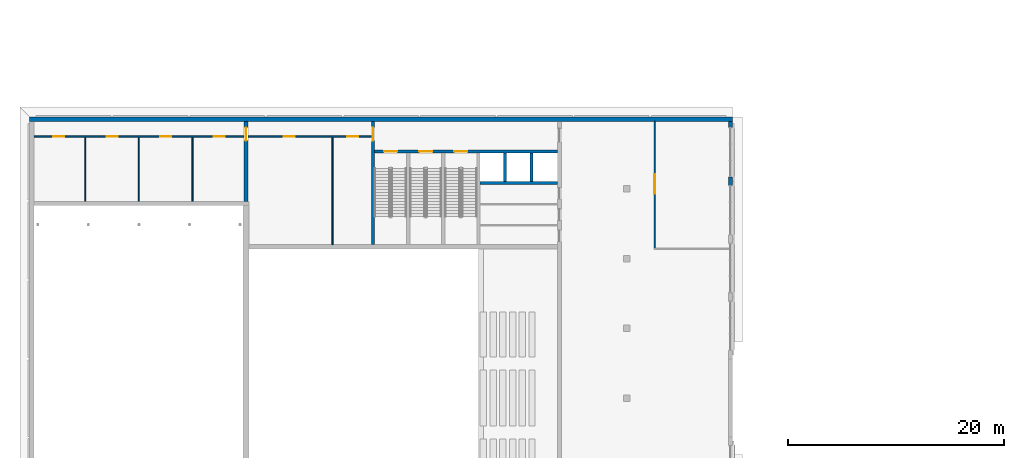
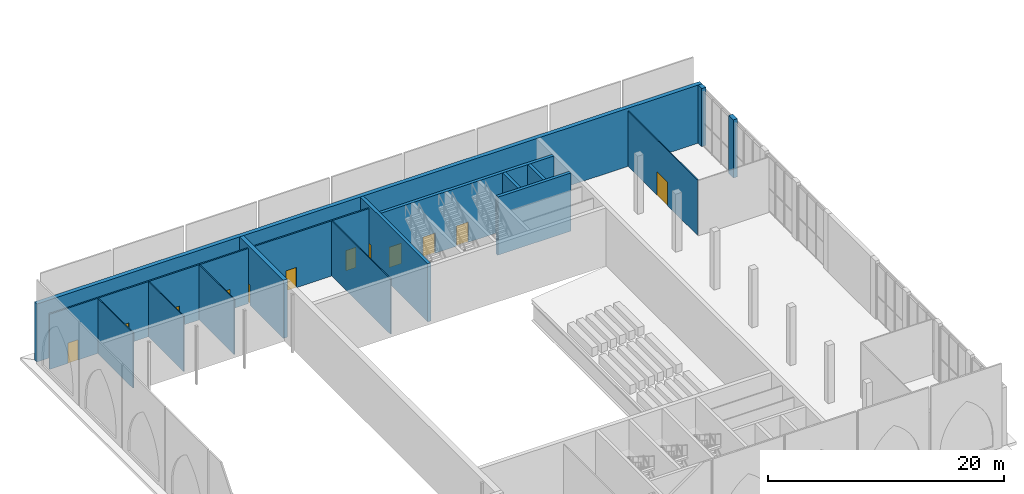
# One storey, part 20 of 74: 16 walls, 12 doors, 12 openings.
"""IFC4 building model written with IfcOpenShell, lengths in metres."""

from ifc_helpers import new_model, si_unit, direction, frame, frame_2d, origin, place, context, subcontext, project, spatial, rectangle, extrude, material, layer, layer_set, type_object, element, fill, save


model = new_model("IFC4")

# Units and contexts
model_context = context("Model", 3, precision=1e-05, world=origin(), true_north=direction((0.0, 1.0)))
body_context = subcontext(model_context, "Body", "Model", "MODEL_VIEW")
ifc_project = project(units=[si_unit("LENGTHUNIT", "METRE"), si_unit("AREAUNIT", "SQUARE_METRE"), si_unit("VOLUMEUNIT", "CUBIC_METRE"), si_unit("PLANEANGLEUNIT", "RADIAN"), si_unit("MASSUNIT", "GRAM", prefix="KILO")], contexts=[model_context])

# Site, building, storey
site_placement = place(None, origin())
site = spatial("IfcSite", under=ifc_project, at=site_placement, CompositionType="ELEMENT")
building_placement = place(site_placement, origin())
building = spatial("IfcBuilding", under=site, at=building_placement, Name="Noorbagh Ring Tower", CompositionType="ELEMENT")
storey_placement = place(building_placement, frame((0.0, 0.0, 13.5)))
storey = spatial("IfcBuildingStorey", under=building, at=storey_placement, Name="L02", CompositionType="ELEMENT", Elevation=13.5)

# Walls
ifc_material_1 = material(Name="Gypsum board on steel studs", Category="steel")
ifc_layer_1 = layer(ifc_material_1, 0.10009765625)
ifc_layer_set_1 = layer_set([ifc_layer_1], Name="Gypsum board on steel studs")
wall_type_1 = type_object("IfcWallType", Name="TH-PART-100", PredefinedType="PARTITIONING", material=ifc_layer_set_1)
for number, where, z_axis, x_axis, name in (
    (1, (-154.85009765625, 23.199951171875, 0.0), (0.0, 0.0, 1.0), (0.0, 1.0, 0.0), "L02/th-wall/056"),
    (2, (-149.89990234375, 23.199951171875, 0.0), (0.0, 0.0, 1.0), (0.0, 1.0, 0.0), "L02/th-wall/057"),
    (3, (-144.949951171875, 23.199951171875, 0.0), (0.0, 0.0, 1.0), (0.0, 1.0, 0.0), "L02/th-wall/059"),
):
    element("IfcWall", number, at=place(storey_placement, frame(where, z_axis=z_axis, x_axis=x_axis)), inside=storey, type_object=wall_type_1, Name=name, PredefinedType="PARTITIONING", context=body_context, shape_type="SweptSolid", body=[
        extrude(rectangle(XDim=5.925048828125, YDim=0.10009765625, at=frame_2d((2.96240234375, 0.0))), origin(), (0.0, 0.0, 1.0), 5.699951171875),
    ])
wall_1_placement = place(storey_placement, frame((-132.0, 19.199951171875, 0.0), z_axis=(0.0, 0.0, 1.0), x_axis=(0.0, 1.0, 0.0)))
element("IfcWall", 4, at=wall_1_placement, inside=storey, type_object=wall_type_1, Name="L02/th-wall/060", PredefinedType="PARTITIONING", context=body_context, shape_type="SweptSolid", body=[
    extrude(rectangle(XDim=9.925048828125, YDim=0.10009765625, at=frame_2d((4.96240234375, 0.0))), origin(), (0.0, 0.0, 1.0), 5.699951171875),
])

# Wall, opening, door
wall_2_placement = place(storey_placement, frame((-102.199951171875, 18.85009765625, 0.0), z_axis=(0.0, 0.0, 1.0), x_axis=(0.0, 1.0, 0.0)))
wall_2 = element("IfcWall", 5, at=wall_2_placement, inside=storey, type_object=wall_type_1, Name="L02/th-wall/063", PredefinedType="PARTITIONING", context=body_context, shape_type="SweptSolid", body=[
    extrude(rectangle(XDim=11.75, YDim=0.10009765625, at=frame_2d((5.875, 0.0))), origin(), (0.0, 0.0, 1.0), 5.699951171875),
])
opening_1_placement = place(wall_2_placement, frame((5.050048828125, 0.0, 0.0)))
opening_1 = element("IfcOpeningElement", 6, at=opening_1_placement, cuts=wall_2, Name="Opening TL02-D22", PredefinedType="OPENING", context=body_context, shape_type="SweptSolid", body=[
    extrude(rectangle(XDim=1.800048828125, YDim=2.39990234375, at=frame_2d((0.89990234375, 1.199951171875))), frame((0.0, 0.06005859375, 0.0), z_axis=(0.0, -1.0, 0.0), x_axis=(1.0, 0.0, 0.0)), (0.0, 0.0, 1.0), 0.1201171875),
])
ifc_material_2 = material(Name="Timber", Category="wood")
door_type_1 = type_object("IfcDoorType", Name="TH-DOOR-DBL-1800", OperationType="DOUBLE_DOOR_SINGLE_SWING", PredefinedType="DOOR", material=ifc_material_2)
door_1_placement = place(opening_1_placement, origin())
door_1 = element("IfcDoor", 7, at=door_1_placement, inside=storey, type_object=door_type_1, Name="Door Balcony foyer to Balcony bar TL02-D22", OperationType="DOUBLE_DOOR_SINGLE_SWING", OverallHeight=2.39990234375, OverallWidth=1.800048828125, PredefinedType="DOOR", context=body_context, shape_type="SweptSolid", body=[
    extrude(rectangle(XDim=1.800048828125, YDim=2.39990234375, at=frame_2d((0.89990234375, 1.199951171875))), frame((0.0, 0.02490234375, 0.0), z_axis=(0.0, -1.0, 0.0), x_axis=(1.0, 0.0, 0.0)), (0.0, 0.0, 1.0), 0.050048828125),
])
fill(opening_1, door_1)

# Wall, openings, doors
ifc_material_3 = material(Name="Gypsum board on steel studs", Category="steel")
ifc_layer_2 = layer(ifc_material_3, 0.14990234375)
ifc_layer_set_2 = layer_set([ifc_layer_2], Name="Gypsum board on steel studs")
wall_type_2 = type_object("IfcWallType", Name="TH-PART-150", PredefinedType="PARTITIONING", material=ifc_layer_set_2)
wall_3_placement = place(storey_placement, frame((-159.60009765625, 29.199951171875, 0.0), z_axis=(0.0, 0.0, 1.0), x_axis=(1.0, 0.0, 0.0)))
wall_3 = element("IfcWall", 8, at=wall_3_placement, inside=storey, type_object=wall_type_2, Name="L02/th-wall/054", PredefinedType="PARTITIONING", context=body_context, shape_type="SweptSolid", body=[
    extrude(rectangle(XDim=19.400146484375, YDim=0.14990234375, at=frame_2d((9.7001953125, 0.0))), origin(), (0.0, 0.0, 1.0), 5.699951171875),
])
opening_2_placement = place(wall_3_placement, frame((1.77490234375, 0.0, 0.0)))
opening_2 = element("IfcOpeningElement", 9, at=opening_2_placement, cuts=wall_3, Name="Opening TL02-D10", PredefinedType="OPENING", context=body_context, shape_type="SweptSolid", body=[
    extrude(rectangle(XDim=1.0, YDim=2.10009765625, at=frame_2d((0.5, 1.050048828125))), frame((0.0, 0.0849609375, 0.0), z_axis=(0.0, -1.0, 0.0), x_axis=(1.0, 0.0, 0.0)), (0.0, 0.0, 1.0), 0.169921875),
])
opening_3_placement = place(wall_3_placement, frame((6.72509765625, 0.0, 0.0)))
opening_3 = element("IfcOpeningElement", 10, at=opening_3_placement, cuts=wall_3, Name="Opening TL02-D11", PredefinedType="OPENING", context=body_context, shape_type="SweptSolid", body=[
    extrude(rectangle(XDim=1.0, YDim=2.10009765625, at=frame_2d((0.5, 1.050048828125))), frame((0.0, 0.0849609375, 0.0), z_axis=(0.0, -1.0, 0.0), x_axis=(1.0, 0.0, 0.0)), (0.0, 0.0, 1.0), 0.169921875),
])
opening_4_placement = place(wall_3_placement, frame((11.675048828125, 0.0, 0.0)))
opening_4 = element("IfcOpeningElement", 11, at=opening_4_placement, cuts=wall_3, Name="Opening TL02-D12", PredefinedType="OPENING", context=body_context, shape_type="SweptSolid", body=[
    extrude(rectangle(XDim=1.0, YDim=2.10009765625, at=frame_2d((0.5, 1.050048828125))), frame((0.0, 0.0849609375, 0.0), z_axis=(0.0, -1.0, 0.0), x_axis=(1.0, 0.0, 0.0)), (0.0, 0.0, 1.0), 0.169921875),
])
opening_5_placement = place(wall_3_placement, frame((16.625, 0.0, 0.0)))
opening_5 = element("IfcOpeningElement", 12, at=opening_5_placement, cuts=wall_3, Name="Opening TL02-D13", PredefinedType="OPENING", context=body_context, shape_type="SweptSolid", body=[
    extrude(rectangle(XDim=1.0, YDim=2.10009765625, at=frame_2d((0.5, 1.050048828125))), frame((0.0, 0.0849609375, 0.0), z_axis=(0.0, -1.0, 0.0), x_axis=(1.0, 0.0, 0.0)), (0.0, 0.0, 1.0), 0.169921875),
])
ifc_material_4 = material(Name="Timber", Category="wood")
door_type_2 = type_object("IfcDoorType", Name="TH-DOOR-1000", OperationType="SINGLE_SWING_LEFT", PredefinedType="DOOR", material=ifc_material_4)
door_2_placement = place(opening_2_placement, origin())
door_2 = element("IfcDoor", 13, at=door_2_placement, inside=storey, type_object=door_type_2, Name="Door Corridor to Costume store TL02-D10", OperationType="SINGLE_SWING_LEFT", OverallHeight=2.10009765625, OverallWidth=1.0, PredefinedType="DOOR", context=body_context, shape_type="SweptSolid", body=[
    extrude(rectangle(XDim=1.0, YDim=2.10009765625, at=frame_2d((0.5, 1.050048828125))), frame((0.0, 0.02490234375, 0.0), z_axis=(0.0, -1.0, 0.0), x_axis=(1.0, 0.0, 0.0)), (0.0, 0.0, 1.0), 0.050048828125),
])
fill(opening_2, door_2)
door_3_placement = place(opening_3_placement, origin())
door_3 = element("IfcDoor", 14, at=door_3_placement, inside=storey, type_object=door_type_2, Name="Door Corridor to Laundry TL02-D11", OperationType="SINGLE_SWING_LEFT", OverallHeight=2.10009765625, OverallWidth=1.0, PredefinedType="DOOR", context=body_context, shape_type="SweptSolid", body=[
    extrude(rectangle(XDim=1.0, YDim=2.10009765625, at=frame_2d((0.5, 1.050048828125))), frame((0.0, 0.02490234375, 0.0), z_axis=(0.0, -1.0, 0.0), x_axis=(1.0, 0.0, 0.0)), (0.0, 0.0, 1.0), 0.050048828125),
])
fill(opening_3, door_3)
door_4_placement = place(opening_4_placement, origin())
door_4 = element("IfcDoor", 15, at=door_4_placement, inside=storey, type_object=door_type_2, Name="Door Corridor to Dye room TL02-D12", OperationType="SINGLE_SWING_RIGHT", OverallHeight=2.10009765625, OverallWidth=1.0, PredefinedType="DOOR", context=body_context, shape_type="SweptSolid", body=[
    extrude(rectangle(XDim=1.0, YDim=2.10009765625, at=frame_2d((0.5, 1.050048828125))), frame((0.0, 0.02490234375, 0.0), z_axis=(0.0, -1.0, 0.0), x_axis=(1.0, 0.0, 0.0)), (0.0, 0.0, 1.0), 0.050048828125),
])
fill(opening_4, door_4)
door_5_placement = place(opening_5_placement, origin())
door_5 = element("IfcDoor", 16, at=door_5_placement, inside=storey, type_object=door_type_2, Name="Door Corridor to Wardrobe office TL02-D13", OperationType="SINGLE_SWING_RIGHT", OverallHeight=2.10009765625, OverallWidth=1.0, PredefinedType="DOOR", context=body_context, shape_type="SweptSolid", body=[
    extrude(rectangle(XDim=1.0, YDim=2.10009765625, at=frame_2d((0.5, 1.050048828125))), frame((0.0, 0.02490234375, 0.0), z_axis=(0.0, -1.0, 0.0), x_axis=(1.0, 0.0, 0.0)), (0.0, 0.0, 1.0), 0.050048828125),
])
fill(opening_5, door_5)

wall_4_placement = place(storey_placement, frame((-139.800048828125, 29.199951171875, 0.0), z_axis=(0.0, 0.0, 1.0), x_axis=(1.0, 0.0, 0.0)))
wall_4 = element("IfcWall", 17, at=wall_4_placement, inside=storey, type_object=wall_type_2, Name="L02/th-wall/055", PredefinedType="PARTITIONING", context=body_context, shape_type="SweptSolid", body=[
    extrude(rectangle(XDim=11.400146484375, YDim=0.14990234375, at=frame_2d((5.7001953125, 0.0))), origin(), (0.0, 0.0, 1.0), 5.699951171875),
])
opening_6_placement = place(wall_4_placement, frame((3.300048828125, 0.0, 0.0)))
opening_6 = element("IfcOpeningElement", 18, at=opening_6_placement, cuts=wall_4, Name="Opening TL02-D14", PredefinedType="OPENING", context=body_context, shape_type="SweptSolid", body=[
    extrude(rectangle(XDim=1.0, YDim=2.10009765625, at=frame_2d((0.5, 1.050048828125))), frame((0.0, 0.0849609375, 0.0), z_axis=(0.0, -1.0, 0.0), x_axis=(1.0, 0.0, 0.0)), (0.0, 0.0, 1.0), 0.169921875),
])
opening_7_placement = place(wall_4_placement, frame((9.175048828125, 0.0, 0.0)))
opening_7 = element("IfcOpeningElement", 19, at=opening_7_placement, cuts=wall_4, Name="Opening TL02-D15", PredefinedType="OPENING", context=body_context, shape_type="SweptSolid", body=[
    extrude(rectangle(XDim=1.0, YDim=2.10009765625, at=frame_2d((0.5, 1.050048828125))), frame((0.0, 0.0849609375, 0.0), z_axis=(0.0, -1.0, 0.0), x_axis=(1.0, 0.0, 0.0)), (0.0, 0.0, 1.0), 0.169921875),
])
door_6_placement = place(opening_6_placement, origin())
door_6 = element("IfcDoor", 20, at=door_6_placement, inside=storey, type_object=door_type_2, Name="Door Corridor to Education studio TL02-D14", OperationType="SINGLE_SWING_LEFT", OverallHeight=2.10009765625, OverallWidth=1.0, PredefinedType="DOOR", context=body_context, shape_type="SweptSolid", body=[
    extrude(rectangle(XDim=1.0, YDim=2.10009765625, at=frame_2d((0.5, 1.050048828125))), frame((0.0, 0.02490234375, 0.0), z_axis=(0.0, -1.0, 0.0), x_axis=(1.0, 0.0, 0.0)), (0.0, 0.0, 1.0), 0.050048828125),
])
fill(opening_6, door_6)
door_7_placement = place(opening_7_placement, origin())
door_7 = element("IfcDoor", 21, at=door_7_placement, inside=storey, type_object=door_type_2, Name="Door Corridor to Workshop classroom TL02-D15", OperationType="SINGLE_SWING_RIGHT", OverallHeight=2.10009765625, OverallWidth=1.0, PredefinedType="DOOR", context=body_context, shape_type="SweptSolid", body=[
    extrude(rectangle(XDim=1.0, YDim=2.10009765625, at=frame_2d((0.5, 1.050048828125))), frame((0.0, 0.02490234375, 0.0), z_axis=(0.0, -1.0, 0.0), x_axis=(1.0, 0.0, 0.0)), (0.0, 0.0, 1.0), 0.050048828125),
])
fill(opening_7, door_7)

# Wall, opening, door
ifc_material_5 = material(Name="Concrete C50/60", Category="concrete")
ifc_layer_3 = layer(ifc_material_5, 0.300048828125)
ifc_layer_set_3 = layer_set([ifc_layer_3], Name="Concrete C50/60")
wall_type_3 = type_object("IfcWallType", Name="TH-WALL-CORE", PredefinedType="SHEAR", material=ifc_layer_set_3)
wall_5_placement = place(storey_placement, frame((-128.25, 19.199951171875, 0.0), z_axis=(0.0, 0.0, 1.0), x_axis=(0.0, 1.0, 0.0)))
wall_5 = element("IfcWall", 22, at=wall_5_placement, inside=storey, type_object=wall_type_3, Name="Core wall", PredefinedType="SHEAR", context=body_context, shape_type="SweptSolid", body=[
    extrude(rectangle(XDim=11.400146484375, YDim=0.300048828125, at=frame_2d((5.7001953125, 0.0))), origin(), (0.0, 0.0, 1.0), 6.0),
])
opening_8_placement = place(wall_5_placement, frame((9.60009765625, 0.0, 0.0)))
opening_8 = element("IfcOpeningElement", 23, at=opening_8_placement, cuts=wall_5, Name="Opening TL02-D17", PredefinedType="OPENING", context=body_context, shape_type="SweptSolid", body=[
    extrude(rectangle(XDim=1.199951171875, YDim=2.10009765625, at=frame_2d((0.60009765625, 1.050048828125))), frame((0.0, 0.16015625, 0.0), z_axis=(0.0, -1.0, 0.0), x_axis=(1.0, 0.0, 0.0)), (0.0, 0.0, 1.0), 0.320068359375),
])
ifc_material_6 = material(Name="Steel", Category="steel")
door_type_3 = type_object("IfcDoorType", Name="TH-DOOR-FIRE-1200", OperationType="SINGLE_SWING_LEFT", PredefinedType="DOOR", material=ifc_material_6)
door_8_placement = place(opening_8_placement, origin())
door_8 = element("IfcDoor", 24, at=door_8_placement, inside=storey, type_object=door_type_3, Name="Door Corridor to Exit lobby TL02-D17", OperationType="SINGLE_SWING_RIGHT", OverallHeight=2.10009765625, OverallWidth=1.199951171875, PredefinedType="DOOR", context=body_context, shape_type="SweptSolid", body=[
    extrude(rectangle(XDim=1.199951171875, YDim=2.10009765625, at=frame_2d((0.60009765625, 1.050048828125))), frame((0.0, 0.02490234375, 0.0), z_axis=(0.0, -1.0, 0.0), x_axis=(1.0, 0.0, 0.0)), (0.0, 0.0, 1.0), 0.050048828125),
])
fill(opening_8, door_8)

# Wall, openings, doors
wall_6_placement = place(storey_placement, frame((-128.10009765625, 27.800048828125, 0.0), z_axis=(0.0, 0.0, 1.0), x_axis=(1.0, 0.0, 0.0)))
wall_6 = element("IfcWall", 25, at=wall_6_placement, inside=storey, type_object=wall_type_3, Name="Exit lobby wall", PredefinedType="SHEAR", context=body_context, shape_type="SweptSolid", body=[
    extrude(rectangle(XDim=16.900146484375, YDim=0.300048828125, at=frame_2d((8.4501953125, 0.0))), origin(), (0.0, 0.0, 1.0), 6.0),
])
opening_9_placement = place(wall_6_placement, frame((4.125, 0.0, 0.0)))
opening_9 = element("IfcOpeningElement", 26, at=opening_9_placement, cuts=wall_6, Name="Opening TL02-D18", PredefinedType="OPENING", context=body_context, shape_type="SweptSolid", body=[
    extrude(rectangle(XDim=1.199951171875, YDim=2.10009765625, at=frame_2d((0.60009765625, 1.050048828125))), frame((0.0, 0.16015625, 0.0), z_axis=(0.0, -1.0, 0.0), x_axis=(1.0, 0.0, 0.0)), (0.0, 0.0, 1.0), 0.320068359375),
])
opening_10_placement = place(wall_6_placement, frame((7.375, 0.0, 0.0)))
opening_10 = element("IfcOpeningElement", 27, at=opening_10_placement, cuts=wall_6, Name="Opening TL02-D19", PredefinedType="OPENING", context=body_context, shape_type="SweptSolid", body=[
    extrude(rectangle(XDim=1.199951171875, YDim=2.10009765625, at=frame_2d((0.60009765625, 1.050048828125))), frame((0.0, 0.16015625, 0.0), z_axis=(0.0, -1.0, 0.0), x_axis=(1.0, 0.0, 0.0)), (0.0, 0.0, 1.0), 0.320068359375),
])
opening_11_placement = place(wall_6_placement, frame((0.875, 0.0, 0.0)))
opening_11 = element("IfcOpeningElement", 28, at=opening_11_placement, cuts=wall_6, Name="Opening TL02-D20", PredefinedType="OPENING", context=body_context, shape_type="SweptSolid", body=[
    extrude(rectangle(XDim=1.199951171875, YDim=2.10009765625, at=frame_2d((0.60009765625, 1.050048828125))), frame((0.0, 0.16015625, 0.0), z_axis=(0.0, -1.0, 0.0), x_axis=(1.0, 0.0, 0.0)), (0.0, 0.0, 1.0), 0.320068359375),
])
ifc_material_7 = material(Name="Steel", Category="steel")
door_type_4 = type_object("IfcDoorType", Name="TH-DOOR-STAIR-1200", OperationType="SINGLE_SWING_LEFT", PredefinedType="DOOR", material=ifc_material_7)
door_9_placement = place(opening_9_placement, origin())
door_9 = element("IfcDoor", 29, at=door_9_placement, inside=storey, type_object=door_type_4, Name="Door Exit lobby to Exit stair N1 TL02-D18", OperationType="SINGLE_SWING_LEFT", OverallHeight=2.10009765625, OverallWidth=1.199951171875, PredefinedType="DOOR", context=body_context, shape_type="SweptSolid", body=[
    extrude(rectangle(XDim=1.199951171875, YDim=2.10009765625, at=frame_2d((0.60009765625, 1.050048828125))), frame((0.0, 0.02490234375, 0.0), z_axis=(0.0, -1.0, 0.0), x_axis=(1.0, 0.0, 0.0)), (0.0, 0.0, 1.0), 0.050048828125),
])
fill(opening_9, door_9)
door_10_placement = place(opening_10_placement, origin())
door_10 = element("IfcDoor", 30, at=door_10_placement, inside=storey, type_object=door_type_4, Name="Door Exit lobby to Exit stair N2 TL02-D19", OperationType="SINGLE_SWING_LEFT", OverallHeight=2.10009765625, OverallWidth=1.199951171875, PredefinedType="DOOR", context=body_context, shape_type="SweptSolid", body=[
    extrude(rectangle(XDim=1.199951171875, YDim=2.10009765625, at=frame_2d((0.60009765625, 1.050048828125))), frame((0.0, 0.02490234375, 0.0), z_axis=(0.0, -1.0, 0.0), x_axis=(1.0, 0.0, 0.0)), (0.0, 0.0, 1.0), 0.050048828125),
])
fill(opening_10, door_10)
door_11_placement = place(opening_11_placement, origin())
door_11 = element("IfcDoor", 31, at=door_11_placement, inside=storey, type_object=door_type_4, Name="Door Exit lobby to Exit stair N3 TL02-D20", OperationType="SINGLE_SWING_LEFT", OverallHeight=2.10009765625, OverallWidth=1.199951171875, PredefinedType="DOOR", context=body_context, shape_type="SweptSolid", body=[
    extrude(rectangle(XDim=1.199951171875, YDim=2.10009765625, at=frame_2d((0.60009765625, 1.050048828125))), frame((0.0, 0.02490234375, 0.0), z_axis=(0.0, -1.0, 0.0), x_axis=(1.0, 0.0, 0.0)), (0.0, 0.0, 1.0), 0.050048828125),
])
fill(opening_11, door_11)

# Walls
wall_7_placement = place(storey_placement, frame((-118.35009765625, 24.89990234375, 0.0), z_axis=(0.0, 0.0, 1.0), x_axis=(1.0, 0.0, 0.0)))
element("IfcWall", 32, at=wall_7_placement, inside=storey, type_object=wall_type_3, Name="Lift shaft wall", PredefinedType="SHEAR", context=body_context, shape_type="SweptSolid", body=[
    extrude(rectangle(XDim=7.150146484375, YDim=0.300048828125, at=frame_2d((3.5751953125, 0.0))), origin(), (0.0, 0.0, 1.0), 6.0),
])
for number, where, z_axis, x_axis, name in (
    (33, (-116.050048828125, 25.050048828125, 0.0), (0.0, 0.0, 1.0), (0.0, 1.0, 0.0), "Lift shaft wall"),
    (34, (-113.60009765625, 25.050048828125, 0.0), (0.0, 0.0, 1.0), (0.0, 1.0, 0.0), "Lift shaft wall"),
):
    element("IfcWall", number, at=place(storey_placement, frame(where, z_axis=z_axis, x_axis=x_axis)), inside=storey, type_object=wall_type_3, Name=name, PredefinedType="SHEAR", context=body_context, shape_type="SweptSolid", body=[
        extrude(rectangle(XDim=2.599853515625, YDim=0.300048828125, at=frame_2d((1.2998046875, 0.0))), origin(), (0.0, 0.0, 1.0), 6.0),
    ])

# Wall, opening, door
ifc_material_8 = material(Name="Concrete C40/50", Category="concrete")
ifc_layer_4 = layer(ifc_material_8, 0.39990234375)
ifc_layer_set_4 = layer_set([ifc_layer_4], Name="Concrete C40/50")
wall_type_4 = type_object("IfcWallType", Name="TH-WALL-INNER", PredefinedType="SOLIDWALL", material=ifc_layer_set_4)
wall_8_placement = place(storey_placement, frame((-140.0, 23.199951171875, 0.0), z_axis=(0.0, 0.0, 1.0), x_axis=(0.0, 1.0, 0.0)))
wall_8 = element("IfcWall", 35, at=wall_8_placement, inside=storey, type_object=wall_type_4, Name="Stage block wall", PredefinedType="SOLIDWALL", context=body_context, shape_type="SweptSolid", body=[
    extrude(rectangle(XDim=7.400146484375, YDim=0.39990234375, at=frame_2d((3.7001953125, 0.0))), origin(), (0.0, 0.0, 1.0), 6.0),
])
opening_12_placement = place(wall_8_placement, frame((5.60009765625, 0.0, 0.0)))
opening_12 = element("IfcOpeningElement", 36, at=opening_12_placement, cuts=wall_8, Name="Opening TL02-D16", PredefinedType="OPENING", context=body_context, shape_type="SweptSolid", body=[
    extrude(rectangle(XDim=1.199951171875, YDim=2.10009765625, at=frame_2d((0.60009765625, 1.050048828125))), frame((0.0, 0.2099609375, 0.0), z_axis=(0.0, -1.0, 0.0), x_axis=(1.0, 0.0, 0.0)), (0.0, 0.0, 1.0), 0.419921875),
])
ifc_material_9 = material(Name="Timber", Category="wood")
door_type_5 = type_object("IfcDoorType", Name="TH-DOOR-1200", OperationType="SINGLE_SWING_LEFT", PredefinedType="DOOR", material=ifc_material_9)
door_12_placement = place(opening_12_placement, origin())
door_12 = element("IfcDoor", 37, at=door_12_placement, inside=storey, type_object=door_type_5, Name="Door Corridor to Corridor TL02-D16", OperationType="SINGLE_SWING_RIGHT", OverallHeight=2.10009765625, OverallWidth=1.199951171875, PredefinedType="DOOR", context=body_context, shape_type="SweptSolid", body=[
    extrude(rectangle(XDim=1.199951171875, YDim=2.10009765625, at=frame_2d((0.60009765625, 1.050048828125))), frame((0.0, 0.02490234375, 0.0), z_axis=(0.0, -1.0, 0.0), x_axis=(1.0, 0.0, 0.0)), (0.0, 0.0, 1.0), 0.050048828125),
])
fill(opening_12, door_12)

# Walls
ifc_material_10 = material(Name="Concrete C40/50", Category="concrete")
ifc_layer_5 = layer(ifc_material_10, 0.39990234375)
ifc_layer_set_5 = layer_set([ifc_layer_5], Name="Concrete C40/50")
wall_type_5 = type_object("IfcWallType", Name="TH-WALL-OUTER", PredefinedType="SOLIDWALL", material=ifc_layer_set_5)
wall_9_placement = place(storey_placement, frame((-160.0, 30.800048828125, 0.0), z_axis=(0.0, 0.0, 1.0), x_axis=(1.0, 0.0, 0.0)))
element("IfcWall", 38, at=wall_9_placement, inside=storey, type_object=wall_type_5, Name="Outer wall north", PredefinedType="SOLIDWALL", context=body_context, shape_type="SweptSolid", body=[
    extrude(rectangle(XDim=65.0, YDim=0.39990234375, at=frame_2d((32.5, 0.0))), origin(), (0.0, 0.0, 1.0), 6.0),
])
wall_10_placement = place(storey_placement, frame((-95.199951171875, 24.64990234375, 0.0), z_axis=(0.0, 0.0, 1.0), x_axis=(0.0, 1.0, 0.0)))
element("IfcWall", 39, at=wall_10_placement, inside=storey, type_object=wall_type_5, Name="Foyer pier", PredefinedType="SOLIDWALL", context=body_context, shape_type="SweptSolid", body=[
    extrude(rectangle(XDim=0.800048828125, YDim=0.39990234375, at=frame_2d((0.39990234375, 0.0))), origin(), (0.0, 0.0, 1.0), 6.0),
])
wall_11_placement = place(storey_placement, frame((-95.199951171875, 30.0, 0.0), z_axis=(0.0, 0.0, 1.0), x_axis=(0.0, 1.0, 0.0)))
element("IfcWall", 40, at=wall_11_placement, inside=storey, type_object=wall_type_5, Name="Foyer pier", PredefinedType="SOLIDWALL", context=body_context, shape_type="SweptSolid", body=[
    extrude(rectangle(XDim=0.60009765625, YDim=0.39990234375, at=frame_2d((0.300048828125, 0.0))), origin(), (0.0, 0.0, 1.0), 6.0),
])

save(model, "model.ifc")
